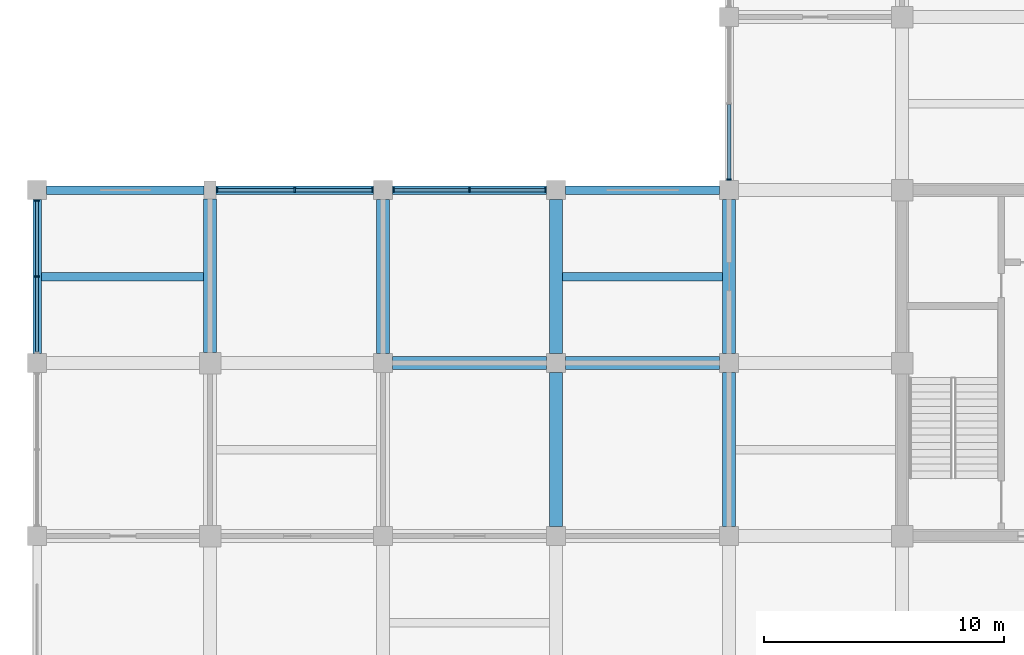
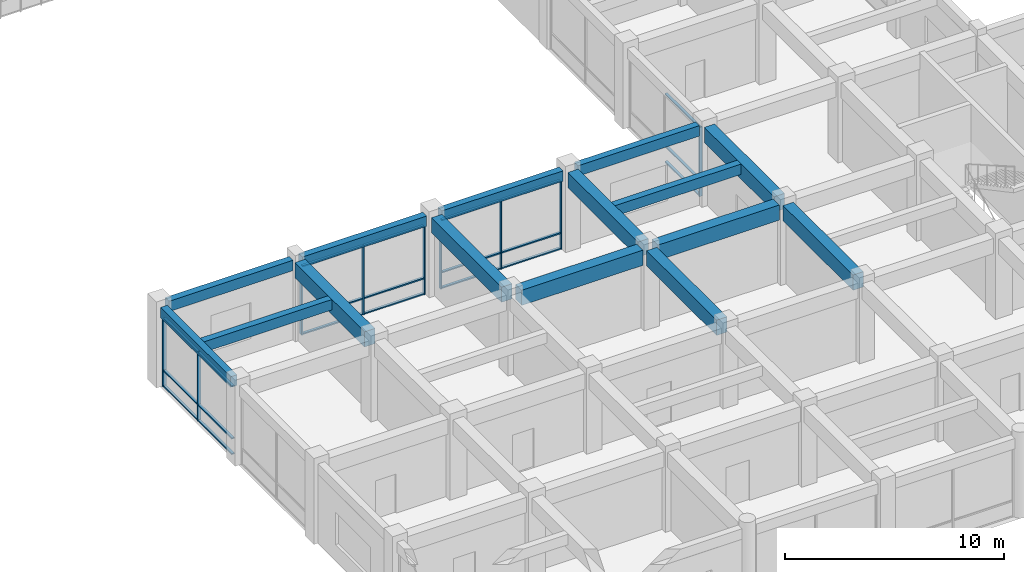
# One storey, part 3 of 75: 30 members, 15 beams, 4 elements without a shape of their own.
"""IFC4 building model written with IfcOpenShell, lengths in metres."""

from ifc_helpers import new_model, si_unit, direction, frame, origin, origin_2d, place, context, subcontext, project, spatial, rectangle, extrude, material, layer, layer_set, material_profile, profile_set, type_object, element, aggregate, save


model = new_model("IFC4")

# Units and contexts
model_context = context("Model", 3, precision=1e-05, world=origin(), true_north=direction((0.0, 1.0)))
body_context = subcontext(model_context, "Body", "Model", "MODEL_VIEW")
ifc_project = project(units=[si_unit("LENGTHUNIT", "METRE"), si_unit("AREAUNIT", "SQUARE_METRE"), si_unit("VOLUMEUNIT", "CUBIC_METRE"), si_unit("PLANEANGLEUNIT", "RADIAN"), si_unit("MASSUNIT", "GRAM", prefix="KILO")], contexts=[model_context])

# Site, building, storey
site_placement = place(None, origin())
site = spatial("IfcSite", under=ifc_project, at=site_placement, CompositionType="ELEMENT")
building_placement = place(site_placement, origin())
building = spatial("IfcBuilding", under=site, at=building_placement, Name="Cendaluz Park School", CompositionType="ELEMENT")
storey_placement = place(building_placement, frame((0.0, 0.0, 4.800048828125)))
storey = spatial("IfcBuildingStorey", under=building, at=storey_placement, Name="L01", CompositionType="ELEMENT", Elevation=4.800048828125)

# Beams
ifc_material_1 = material(Name="Concrete C40/50", Category="concrete")
ifc_material_profile_1 = material_profile(ifc_material_1, rectangle(XDim=0.550048828125, YDim=0.85009765625, at=origin_2d()), Name="RC 550x850", Category="concrete")
ifc_profile_set_1 = profile_set([ifc_material_profile_1], Name="Concrete C40/50")
beam_type_1 = type_object("IfcBeamType", Name="BM-RC01", PredefinedType="BEAM", material=ifc_profile_set_1)
for number, where, z_axis, x_axis, name in (
    (1, (14.800048828125, 21.60009765625, 4.0048828125), (1.0, 0.0, 0.0), (0.0, 1.0, 0.0), "BM-L01-BMRC01-0027"),
    (2, (22.0, 21.60009765625, 4.0048828125), (1.0, 0.0, 0.0), (0.0, 1.0, 0.0), "BM-L01-BMRC01-0036"),
):
    element("IfcBeam", number, at=place(storey_placement, frame(where, z_axis=z_axis, x_axis=x_axis)), inside=storey, type_object=beam_type_1, Name=name, PredefinedType="BEAM", context=body_context, shape_type="SweptSolid", body=[
        extrude(rectangle(XDim=0.550048828125, YDim=0.85009765625, at=origin_2d()), origin(), (0.0, 0.0, 1.0), 6.39990234375),
    ])
beam_1_placement = place(storey_placement, frame((7.199951171875, 22.050048828125, 4.0048828125), z_axis=(0.0, 1.0, 0.0), x_axis=(-1.0, 0.0, 0.0)))
element("IfcBeam", 3, at=beam_1_placement, inside=storey, type_object=beam_type_1, Name="BM-L01-BMRC01-0240", PredefinedType="BEAM", context=body_context, shape_type="SweptSolid", body=[
    extrude(rectangle(XDim=0.550048828125, YDim=0.85009765625, at=origin_2d()), origin(), (0.0, 0.0, 1.0), 6.375),
])
for number, where, z_axis, x_axis, name in (
    (4, (14.39990234375, 22.0, 4.0048828125), (0.0, 1.0, 0.0), (-1.0, 0.0, 0.0), "BM-L01-BMRC01-0252"),
    (5, (21.60009765625, 14.800048828125, 4.0048828125), (0.0, 1.0, 0.0), (-1.0, 0.0, 0.0), "BM-L01-BMRC01-0257"),
    (6, (21.60009765625, 22.0, 4.0048828125), (0.0, 1.0, 0.0), (-1.0, 0.0, 0.0), "BM-L01-BMRC01-0258"),
    (7, (28.800048828125, 14.800048828125, 4.0048828125), (0.0, 1.0, 0.0), (-1.0, 0.0, 0.0), "BM-L01-BMRC01-0263"),
    (8, (28.800048828125, 22.0, 4.0048828125), (0.0, 1.0, 0.0), (-1.0, 0.0, 0.0), "BM-L01-BMRC01-0264"),
):
    element("IfcBeam", number, at=place(storey_placement, frame(where, z_axis=z_axis, x_axis=x_axis)), inside=storey, type_object=beam_type_1, Name=name, PredefinedType="BEAM", context=body_context, shape_type="SweptSolid", body=[
        extrude(rectangle(XDim=0.550048828125, YDim=0.85009765625, at=origin_2d()), origin(), (0.0, 0.0, 1.0), 6.39990234375),
    ])
ifc_material_profile_2 = material_profile(ifc_material_1, rectangle(XDim=0.35009765625, YDim=0.580078125, at=origin_2d()), Name="RC 350x580", Category="concrete")
ifc_profile_set_2 = profile_set([ifc_material_profile_2], Name="Concrete C40/50")
beam_type_2 = type_object("IfcBeamType", Name="BM-RC04", PredefinedType="LINTEL", material=ifc_profile_set_2)
for number, where, z_axis, x_axis, name in (
    (9, (0.39990234375, 28.800048828125, 4.139892578125), (1.0, 0.0, 0.0), (0.0, 1.0, 0.0), "BM-L01-BMRC04-0005"),
    (10, (7.449951171875, 28.800048828125, 4.139892578125), (1.0, 0.0, 0.0), (0.0, 1.0, 0.0), "BM-L01-BMRC04-0019"),
):
    element("IfcBeam", number, at=place(storey_placement, frame(where, z_axis=z_axis, x_axis=x_axis)), inside=storey, type_object=beam_type_2, Name=name, PredefinedType="LINTEL", context=body_context, shape_type="SweptSolid", body=[
        extrude(rectangle(XDim=0.35009765625, YDim=0.580078125, at=origin_2d()), origin(), (0.0, 0.0, 1.0), 6.550048828125),
    ])
for number, where, z_axis, x_axis, name in (
    (11, (14.800048828125, 28.800048828125, 4.139892578125), (1.0, 0.0, 0.0), (0.0, 1.0, 0.0), "BM-L01-BMRC04-0028"),
    (12, (22.0, 28.800048828125, 4.139892578125), (1.0, 0.0, 0.0), (0.0, 1.0, 0.0), "BM-L01-BMRC04-0037"),
    (13, (0.0, 22.0, 4.139892578125), (0.0, 1.0, 0.0), (-1.0, 0.0, 0.0), "BM-L01-BMRC04-0228"),
):
    element("IfcBeam", number, at=place(storey_placement, frame(where, z_axis=z_axis, x_axis=x_axis)), inside=storey, type_object=beam_type_2, Name=name, PredefinedType="LINTEL", context=body_context, shape_type="SweptSolid", body=[
        extrude(rectangle(XDim=0.35009765625, YDim=0.580078125, at=origin_2d()), origin(), (0.0, 0.0, 1.0), 6.39990234375),
    ])

# Curtain wall, members
ifc_material_2 = material(Name="Anodised Aluminium 6063-T6", Category="aluminium")
ifc_layer_1 = layer(ifc_material_2, 0.179931640625)
ifc_layer_set_1 = layer_set([ifc_layer_1], Name="Anodised Aluminium 6063-T6")
curtain_wall_type_1 = type_object("IfcCurtainWallType", Name="CW-128x77", PredefinedType="NOTDEFINED", material=ifc_layer_set_1)
curtain_wall_1_placement = place(storey_placement, origin())
curtain_wall_1 = element("IfcCurtainWall", 14, at=curtain_wall_1_placement, inside=storey, type_object=curtain_wall_type_1, Name="CW-L01-004", PredefinedType="NOTDEFINED")
ifc_material_profile_3 = material_profile(ifc_material_2, rectangle(XDim=0.179931640625, YDim=0.070068359375, at=origin_2d()), Name="CWM 180x70", Category="aluminium")
ifc_profile_set_3 = profile_set([ifc_material_profile_3], Name="Anodised Aluminium 6063-T6")
member_type_1 = type_object("IfcMemberType", Name="CWM-01", PredefinedType="MULLION", material=ifc_profile_set_3)
member_1_placement = place(storey_placement, frame((0.0, 25.199951171875, 0.0), z_axis=(0.0, 0.0, 1.0), x_axis=(-1.0, 0.0, 0.0)))
member_1 = element("IfcMember", 15, at=member_1_placement, type_object=member_type_1, Name="CP-L01-0041", PredefinedType="MULLION", context=body_context, shape_type="SweptSolid", body=[
    extrude(rectangle(XDim=0.179931640625, YDim=0.070068359375, at=origin_2d()), origin(), (0.0, 0.0, 1.0), 3.849853515625),
])
member_2_placement = place(storey_placement, frame((0.0, 28.364990234375, 0.0), z_axis=(0.0, 0.0, 1.0), x_axis=(-1.0, 0.0, 0.0)))
member_2 = element("IfcMember", 16, at=member_2_placement, type_object=member_type_1, Name="CP-L01-0042", PredefinedType="MULLION", context=body_context, shape_type="SweptSolid", body=[
    extrude(rectangle(XDim=0.179931640625, YDim=0.070068359375, at=origin_2d()), origin(), (0.0, 0.0, 1.0), 3.849853515625),
])

ifc_layer_2 = layer(ifc_material_2, 0.179931640625)
ifc_layer_set_2 = layer_set([ifc_layer_2], Name="Anodised Aluminium 6063-T6")
curtain_wall_type_2 = type_object("IfcCurtainWallType", Name="CW-131x77", PredefinedType="NOTDEFINED", material=ifc_layer_set_2)
curtain_wall_2_placement = place(storey_placement, origin())
curtain_wall_2 = element("IfcCurtainWall", 17, at=curtain_wall_2_placement, inside=storey, type_object=curtain_wall_type_2, Name="CW-L01-012", PredefinedType="NOTDEFINED")
member_3_placement = place(storey_placement, frame((7.485107421875, 28.800048828125, 0.0), z_axis=(0.0, 0.0, 1.0), x_axis=(0.0, 1.0, 0.0)))
member_3 = element("IfcMember", 18, at=member_3_placement, type_object=member_type_1, Name="CP-L01-0144", PredefinedType="MULLION", context=body_context, shape_type="SweptSolid", body=[
    extrude(rectangle(XDim=0.179931640625, YDim=0.070068359375, at=origin_2d()), origin(), (0.0, 0.0, 1.0), 3.849853515625),
])
member_4_placement = place(storey_placement, frame((10.72509765625, 28.800048828125, 0.0), z_axis=(0.0, 0.0, 1.0), x_axis=(0.0, 1.0, 0.0)))
member_4 = element("IfcMember", 19, at=member_4_placement, type_object=member_type_1, Name="CP-L01-0145", PredefinedType="MULLION", context=body_context, shape_type="SweptSolid", body=[
    extrude(rectangle(XDim=0.179931640625, YDim=0.070068359375, at=origin_2d()), origin(), (0.0, 0.0, 1.0), 3.849853515625),
])
member_5_placement = place(storey_placement, frame((13.965087890625, 28.800048828125, 0.0), z_axis=(0.0, 0.0, 1.0), x_axis=(0.0, 1.0, 0.0)))
member_5 = element("IfcMember", 20, at=member_5_placement, type_object=member_type_1, Name="CP-L01-0146", PredefinedType="MULLION", context=body_context, shape_type="SweptSolid", body=[
    extrude(rectangle(XDim=0.179931640625, YDim=0.070068359375, at=origin_2d()), origin(), (0.0, 0.0, 1.0), 3.849853515625),
])

curtain_wall_3_placement = place(storey_placement, origin())
curtain_wall_3 = element("IfcCurtainWall", 21, at=curtain_wall_3_placement, inside=storey, type_object=curtain_wall_type_1, Name="CW-L01-016", PredefinedType="NOTDEFINED")
member_6_placement = place(storey_placement, frame((14.8349609375, 28.800048828125, 0.0), z_axis=(0.0, 0.0, 1.0), x_axis=(0.0, 1.0, 0.0)))
member_6 = element("IfcMember", 22, at=member_6_placement, type_object=member_type_1, Name="CP-L01-0196", PredefinedType="MULLION", context=body_context, shape_type="SweptSolid", body=[
    extrude(rectangle(XDim=0.179931640625, YDim=0.070068359375, at=origin_2d()), origin(), (0.0, 0.0, 1.0), 3.849853515625),
])
member_7_placement = place(storey_placement, frame((18.0, 28.800048828125, 0.0), z_axis=(0.0, 0.0, 1.0), x_axis=(0.0, 1.0, 0.0)))
member_7 = element("IfcMember", 23, at=member_7_placement, type_object=member_type_1, Name="CP-L01-0197", PredefinedType="MULLION", context=body_context, shape_type="SweptSolid", body=[
    extrude(rectangle(XDim=0.179931640625, YDim=0.070068359375, at=origin_2d()), origin(), (0.0, 0.0, 1.0), 3.849853515625),
])
member_8_placement = place(storey_placement, frame((21.1650390625, 28.800048828125, 0.0), z_axis=(0.0, 0.0, 1.0), x_axis=(0.0, 1.0, 0.0)))
member_8 = element("IfcMember", 24, at=member_8_placement, type_object=member_type_1, Name="CP-L01-0198", PredefinedType="MULLION", context=body_context, shape_type="SweptSolid", body=[
    extrude(rectangle(XDim=0.179931640625, YDim=0.070068359375, at=origin_2d()), origin(), (0.0, 0.0, 1.0), 3.849853515625),
])

# Curtain wall, member
curtain_wall_4_placement = place(storey_placement, origin())
curtain_wall_4 = element("IfcCurtainWall", 25, at=curtain_wall_4_placement, inside=storey, type_object=curtain_wall_type_1, Name="CW-L01-020", PredefinedType="NOTDEFINED")
member_9_placement = place(storey_placement, frame((28.800048828125, 29.235107421875, 0.0), z_axis=(0.0, 0.0, 1.0), x_axis=(-1.0, 0.0, 0.0)))
member_9 = element("IfcMember", 26, at=member_9_placement, type_object=member_type_1, Name="CP-L01-0248", PredefinedType="MULLION", context=body_context, shape_type="SweptSolid", body=[
    extrude(rectangle(XDim=0.179931640625, YDim=0.070068359375, at=origin_2d()), origin(), (0.0, 0.0, 1.0), 3.849853515625),
])

# Member
ifc_material_profile_4 = material_profile(ifc_material_2, rectangle(XDim=0.139892578125, YDim=0.070068359375, at=origin_2d()), Name="CWT 140x70", Category="aluminium")
ifc_profile_set_4 = profile_set([ifc_material_profile_4], Name="Anodised Aluminium 6063-T6")
member_type_2 = type_object("IfcMemberType", Name="CWT-01", PredefinedType="USERDEFINED", material=ifc_profile_set_4)
member_10_placement = place(storey_placement, frame((0.0, 22.070068359375, 0.034912109375), z_axis=(0.0, 1.0, 0.0), x_axis=(-1.0, 0.0, 0.0)))
member_10 = element("IfcMember", 27, at=member_10_placement, type_object=member_type_2, Name="CP-L01-0043", ObjectType="TRANSOM", PredefinedType="USERDEFINED", context=body_context, shape_type="SweptSolid", body=[
    extrude(rectangle(XDim=0.139892578125, YDim=0.070068359375, at=origin_2d()), origin(), (0.0, 0.0, 1.0), 3.094970703125),
])

member_11_placement = place(storey_placement, frame((0.0, 22.070068359375, 0.89990234375), z_axis=(0.0, 1.0, 0.0), x_axis=(-1.0, 0.0, 0.0)))
member_11 = element("IfcMember", 28, at=member_11_placement, type_object=member_type_2, Name="CP-L01-0044", ObjectType="TRANSOM", PredefinedType="USERDEFINED", context=body_context, shape_type="SweptSolid", body=[
    extrude(rectangle(XDim=0.139892578125, YDim=0.070068359375, at=origin_2d()), origin(), (0.0, 0.0, 1.0), 3.094970703125),
])

member_12_placement = place(storey_placement, frame((0.0, 22.070068359375, 3.81494140625), z_axis=(0.0, 1.0, 0.0), x_axis=(-1.0, 0.0, 0.0)))
member_12 = element("IfcMember", 29, at=member_12_placement, type_object=member_type_2, Name="CP-L01-0045", ObjectType="TRANSOM", PredefinedType="USERDEFINED", context=body_context, shape_type="SweptSolid", body=[
    extrude(rectangle(XDim=0.139892578125, YDim=0.070068359375, at=origin_2d()), origin(), (0.0, 0.0, 1.0), 3.094970703125),
])

member_13_placement = place(storey_placement, frame((0.0, 25.235107421875, 0.034912109375), z_axis=(0.0, 1.0, 0.0), x_axis=(-1.0, 0.0, 0.0)))
member_13 = element("IfcMember", 30, at=member_13_placement, type_object=member_type_2, Name="CP-L01-0048", ObjectType="TRANSOM", PredefinedType="USERDEFINED", context=body_context, shape_type="SweptSolid", body=[
    extrude(rectangle(XDim=0.139892578125, YDim=0.070068359375, at=origin_2d()), origin(), (0.0, 0.0, 1.0), 3.094970703125),
])

member_14_placement = place(storey_placement, frame((0.0, 25.235107421875, 0.89990234375), z_axis=(0.0, 1.0, 0.0), x_axis=(-1.0, 0.0, 0.0)))
member_14 = element("IfcMember", 31, at=member_14_placement, type_object=member_type_2, Name="CP-L01-0049", ObjectType="TRANSOM", PredefinedType="USERDEFINED", context=body_context, shape_type="SweptSolid", body=[
    extrude(rectangle(XDim=0.139892578125, YDim=0.070068359375, at=origin_2d()), origin(), (0.0, 0.0, 1.0), 3.094970703125),
])

member_15_placement = place(storey_placement, frame((0.0, 25.235107421875, 3.81494140625), z_axis=(0.0, 1.0, 0.0), x_axis=(-1.0, 0.0, 0.0)))
member_15 = element("IfcMember", 32, at=member_15_placement, type_object=member_type_2, Name="CP-L01-0050", ObjectType="TRANSOM", PredefinedType="USERDEFINED", context=body_context, shape_type="SweptSolid", body=[
    extrude(rectangle(XDim=0.139892578125, YDim=0.070068359375, at=origin_2d()), origin(), (0.0, 0.0, 1.0), 3.094970703125),
])

aggregate(curtain_wall_1, [member_1, member_2, member_10, member_11, member_12, member_13, member_14, member_15])

member_16_placement = place(storey_placement, frame((7.52001953125, 28.800048828125, 0.034912109375), z_axis=(1.0, 0.0, 0.0), x_axis=(0.0, 1.0, 0.0)))
member_16 = element("IfcMember", 33, at=member_16_placement, type_object=member_type_2, Name="CP-L01-0147", ObjectType="TRANSOM", PredefinedType="USERDEFINED", context=body_context, shape_type="SweptSolid", body=[
    extrude(rectangle(XDim=0.139892578125, YDim=0.070068359375, at=origin_2d()), origin(), (0.0, 0.0, 1.0), 3.169921875),
])

member_17_placement = place(storey_placement, frame((7.52001953125, 28.800048828125, 0.89990234375), z_axis=(1.0, 0.0, 0.0), x_axis=(0.0, 1.0, 0.0)))
member_17 = element("IfcMember", 34, at=member_17_placement, type_object=member_type_2, Name="CP-L01-0148", ObjectType="TRANSOM", PredefinedType="USERDEFINED", context=body_context, shape_type="SweptSolid", body=[
    extrude(rectangle(XDim=0.139892578125, YDim=0.070068359375, at=origin_2d()), origin(), (0.0, 0.0, 1.0), 3.169921875),
])

member_18_placement = place(storey_placement, frame((7.52001953125, 28.800048828125, 3.81494140625), z_axis=(1.0, 0.0, 0.0), x_axis=(0.0, 1.0, 0.0)))
member_18 = element("IfcMember", 35, at=member_18_placement, type_object=member_type_2, Name="CP-L01-0149", ObjectType="TRANSOM", PredefinedType="USERDEFINED", context=body_context, shape_type="SweptSolid", body=[
    extrude(rectangle(XDim=0.139892578125, YDim=0.070068359375, at=origin_2d()), origin(), (0.0, 0.0, 1.0), 3.169921875),
])

member_19_placement = place(storey_placement, frame((10.760009765625, 28.800048828125, 0.034912109375), z_axis=(1.0, 0.0, 0.0), x_axis=(0.0, 1.0, 0.0)))
member_19 = element("IfcMember", 36, at=member_19_placement, type_object=member_type_2, Name="CP-L01-0152", ObjectType="TRANSOM", PredefinedType="USERDEFINED", context=body_context, shape_type="SweptSolid", body=[
    extrude(rectangle(XDim=0.139892578125, YDim=0.070068359375, at=origin_2d()), origin(), (0.0, 0.0, 1.0), 3.169921875),
])

member_20_placement = place(storey_placement, frame((10.760009765625, 28.800048828125, 0.89990234375), z_axis=(1.0, 0.0, 0.0), x_axis=(0.0, 1.0, 0.0)))
member_20 = element("IfcMember", 37, at=member_20_placement, type_object=member_type_2, Name="CP-L01-0153", ObjectType="TRANSOM", PredefinedType="USERDEFINED", context=body_context, shape_type="SweptSolid", body=[
    extrude(rectangle(XDim=0.139892578125, YDim=0.070068359375, at=origin_2d()), origin(), (0.0, 0.0, 1.0), 3.169921875),
])

member_21_placement = place(storey_placement, frame((10.760009765625, 28.800048828125, 3.81494140625), z_axis=(1.0, 0.0, 0.0), x_axis=(0.0, 1.0, 0.0)))
member_21 = element("IfcMember", 38, at=member_21_placement, type_object=member_type_2, Name="CP-L01-0154", ObjectType="TRANSOM", PredefinedType="USERDEFINED", context=body_context, shape_type="SweptSolid", body=[
    extrude(rectangle(XDim=0.139892578125, YDim=0.070068359375, at=origin_2d()), origin(), (0.0, 0.0, 1.0), 3.169921875),
])

aggregate(curtain_wall_2, [member_3, member_4, member_5, member_16, member_17, member_18, member_19, member_20, member_21])

member_22_placement = place(storey_placement, frame((14.8701171875, 28.800048828125, 0.034912109375), z_axis=(1.0, 0.0, 0.0), x_axis=(0.0, 1.0, 0.0)))
member_22 = element("IfcMember", 39, at=member_22_placement, type_object=member_type_2, Name="CP-L01-0199", ObjectType="TRANSOM", PredefinedType="USERDEFINED", context=body_context, shape_type="SweptSolid", body=[
    extrude(rectangle(XDim=0.139892578125, YDim=0.070068359375, at=origin_2d()), origin(), (0.0, 0.0, 1.0), 3.094970703125),
])

member_23_placement = place(storey_placement, frame((14.8701171875, 28.800048828125, 0.89990234375), z_axis=(1.0, 0.0, 0.0), x_axis=(0.0, 1.0, 0.0)))
member_23 = element("IfcMember", 40, at=member_23_placement, type_object=member_type_2, Name="CP-L01-0200", ObjectType="TRANSOM", PredefinedType="USERDEFINED", context=body_context, shape_type="SweptSolid", body=[
    extrude(rectangle(XDim=0.139892578125, YDim=0.070068359375, at=origin_2d()), origin(), (0.0, 0.0, 1.0), 3.094970703125),
])

member_24_placement = place(storey_placement, frame((14.8701171875, 28.800048828125, 3.81494140625), z_axis=(1.0, 0.0, 0.0), x_axis=(0.0, 1.0, 0.0)))
member_24 = element("IfcMember", 41, at=member_24_placement, type_object=member_type_2, Name="CP-L01-0201", ObjectType="TRANSOM", PredefinedType="USERDEFINED", context=body_context, shape_type="SweptSolid", body=[
    extrude(rectangle(XDim=0.139892578125, YDim=0.070068359375, at=origin_2d()), origin(), (0.0, 0.0, 1.0), 3.094970703125),
])

member_25_placement = place(storey_placement, frame((18.034912109375, 28.800048828125, 0.034912109375), z_axis=(1.0, 0.0, 0.0), x_axis=(0.0, 1.0, 0.0)))
member_25 = element("IfcMember", 42, at=member_25_placement, type_object=member_type_2, Name="CP-L01-0204", ObjectType="TRANSOM", PredefinedType="USERDEFINED", context=body_context, shape_type="SweptSolid", body=[
    extrude(rectangle(XDim=0.139892578125, YDim=0.070068359375, at=origin_2d()), origin(), (0.0, 0.0, 1.0), 3.094970703125),
])

member_26_placement = place(storey_placement, frame((18.034912109375, 28.800048828125, 0.89990234375), z_axis=(1.0, 0.0, 0.0), x_axis=(0.0, 1.0, 0.0)))
member_26 = element("IfcMember", 43, at=member_26_placement, type_object=member_type_2, Name="CP-L01-0205", ObjectType="TRANSOM", PredefinedType="USERDEFINED", context=body_context, shape_type="SweptSolid", body=[
    extrude(rectangle(XDim=0.139892578125, YDim=0.070068359375, at=origin_2d()), origin(), (0.0, 0.0, 1.0), 3.094970703125),
])

member_27_placement = place(storey_placement, frame((18.034912109375, 28.800048828125, 3.81494140625), z_axis=(1.0, 0.0, 0.0), x_axis=(0.0, 1.0, 0.0)))
member_27 = element("IfcMember", 44, at=member_27_placement, type_object=member_type_2, Name="CP-L01-0206", ObjectType="TRANSOM", PredefinedType="USERDEFINED", context=body_context, shape_type="SweptSolid", body=[
    extrude(rectangle(XDim=0.139892578125, YDim=0.070068359375, at=origin_2d()), origin(), (0.0, 0.0, 1.0), 3.094970703125),
])

aggregate(curtain_wall_3, [member_6, member_7, member_8, member_22, member_23, member_24, member_25, member_26, member_27])

member_28_placement = place(storey_placement, frame((28.800048828125, 29.27001953125, 0.034912109375), z_axis=(0.0, 1.0, 0.0), x_axis=(-1.0, 0.0, 0.0)))
member_28 = element("IfcMember", 45, at=member_28_placement, type_object=member_type_2, Name="CP-L01-0251", ObjectType="TRANSOM", PredefinedType="USERDEFINED", context=body_context, shape_type="SweptSolid", body=[
    extrude(rectangle(XDim=0.139892578125, YDim=0.070068359375, at=origin_2d()), origin(), (0.0, 0.0, 1.0), 3.094970703125),
])

member_29_placement = place(storey_placement, frame((28.800048828125, 29.27001953125, 0.89990234375), z_axis=(0.0, 1.0, 0.0), x_axis=(-1.0, 0.0, 0.0)))
member_29 = element("IfcMember", 46, at=member_29_placement, type_object=member_type_2, Name="CP-L01-0252", ObjectType="TRANSOM", PredefinedType="USERDEFINED", context=body_context, shape_type="SweptSolid", body=[
    extrude(rectangle(XDim=0.139892578125, YDim=0.070068359375, at=origin_2d()), origin(), (0.0, 0.0, 1.0), 3.094970703125),
])

member_30_placement = place(storey_placement, frame((28.800048828125, 29.27001953125, 3.81494140625), z_axis=(0.0, 1.0, 0.0), x_axis=(-1.0, 0.0, 0.0)))
member_30 = element("IfcMember", 47, at=member_30_placement, type_object=member_type_2, Name="CP-L01-0253", ObjectType="TRANSOM", PredefinedType="USERDEFINED", context=body_context, shape_type="SweptSolid", body=[
    extrude(rectangle(XDim=0.139892578125, YDim=0.070068359375, at=origin_2d()), origin(), (0.0, 0.0, 1.0), 3.094970703125),
])

aggregate(curtain_wall_4, [member_9, member_28, member_29, member_30])

# Beams
ifc_material_profile_5 = material_profile(ifc_material_1, rectangle(XDim=0.35009765625, YDim=0.580078125, at=origin_2d()), Name="RC 350x580", Category="concrete")
ifc_profile_set_5 = profile_set([ifc_material_profile_5], Name="Concrete C40/50")
beam_type_3 = type_object("IfcBeamType", Name="JT-RC01", PredefinedType="JOIST", material=ifc_profile_set_5)
beam_2_placement = place(storey_placement, frame((0.175048828125, 25.199951171875, 4.139892578125), z_axis=(1.0, 0.0, 0.0), x_axis=(0.0, 1.0, 0.0)))
element("IfcBeam", 48, at=beam_2_placement, inside=storey, type_object=beam_type_3, Name="BM-L01-JTRC01-0466", PredefinedType="JOIST", context=body_context, shape_type="SweptSolid", body=[
    extrude(rectangle(XDim=0.35009765625, YDim=0.580078125, at=origin_2d()), origin(), (0.0, 0.0, 1.0), 6.75),
])
beam_3_placement = place(storey_placement, frame((21.875, 25.199951171875, 4.139892578125), z_axis=(1.0, 0.0, 0.0), x_axis=(0.0, 1.0, 0.0)))
element("IfcBeam", 49, at=beam_3_placement, inside=storey, type_object=beam_type_3, Name="BM-L01-JTRC01-0474", PredefinedType="JOIST", context=body_context, shape_type="SweptSolid", body=[
    extrude(rectangle(XDim=0.35009765625, YDim=0.580078125, at=origin_2d()), origin(), (0.0, 0.0, 1.0), 6.64990234375),
])

save(model, "model.ifc")
